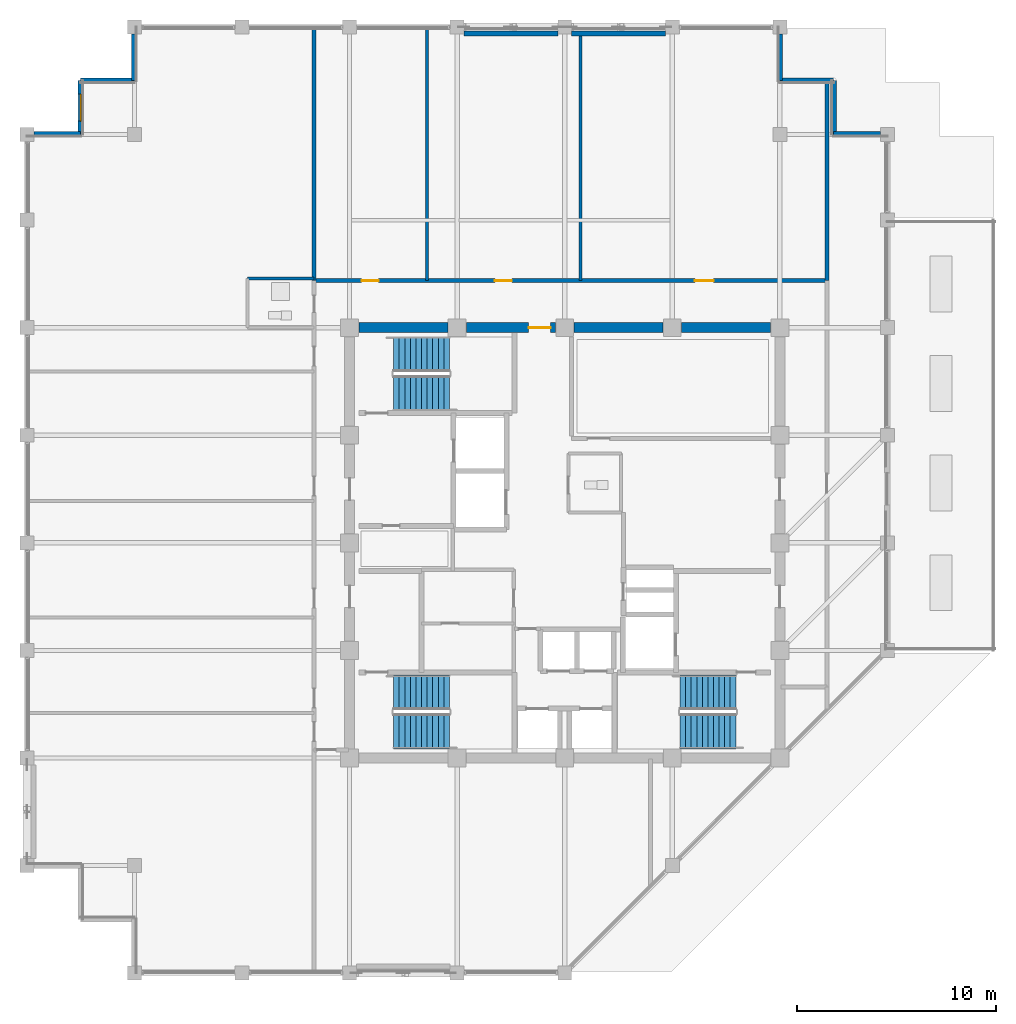
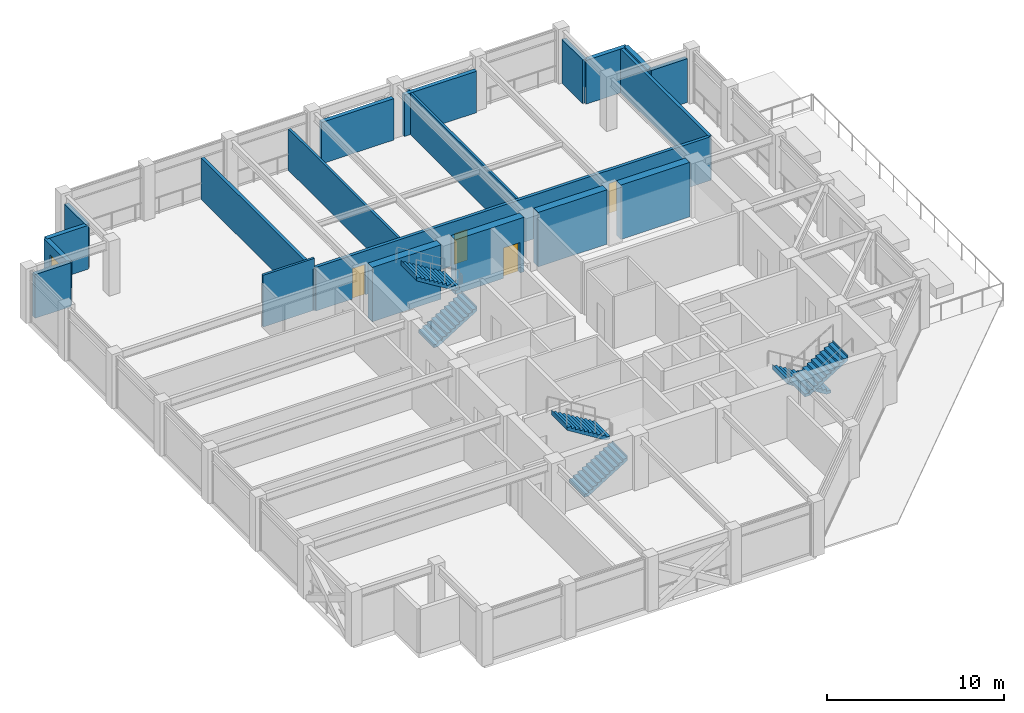
# One storey, part 28 of 34: 20 walls, 6 stair flights, 4 doors, 1 window, 5 openings, 3 elements without a shape of their own.
"""IFC4 building model written with IfcOpenShell, lengths in metres."""

from ifc_helpers import new_model, si_unit, direction, frame, frame_2d, origin, place, context, subcontext, project, spatial, polyline, rectangle, outline, extrude, material, layer, layer_set, type_object, element, fill, aggregate, save


model = new_model("IFC4")

# Units and contexts
model_context = context("Model", 3, precision=1e-05, world=origin(), true_north=direction((0.0, 1.0)))
body_context = subcontext(model_context, "Body", "Model", "MODEL_VIEW")
ifc_project = project(units=[si_unit("LENGTHUNIT", "METRE"), si_unit("AREAUNIT", "SQUARE_METRE"), si_unit("VOLUMEUNIT", "CUBIC_METRE"), si_unit("PLANEANGLEUNIT", "RADIAN"), si_unit("MASSUNIT", "GRAM", prefix="KILO")], contexts=[model_context])

# Site, building, storey
site_placement = place(None, origin())
site = spatial("IfcSite", under=ifc_project, at=site_placement, CompositionType="ELEMENT")
building_placement = place(site_placement, origin())
building = spatial("IfcBuilding", under=site, at=building_placement, Name="Surkhivell Harbour Commons", CompositionType="ELEMENT")
storey_placement = place(building_placement, frame((0.0, 0.0, 258.75)))
storey = spatial("IfcBuildingStorey", under=building, at=storey_placement, Name="L67", CompositionType="ELEMENT", Elevation=258.75)

# Wall
ifc_material_1 = material(Name="Concrete C50/60", Category="concrete")
ifc_layer_1 = layer(ifc_material_1, 0.5)
ifc_layer_set_1 = layer_set([ifc_layer_1], Name="Concrete C50/60")
wall_type_1 = type_object("IfcWallType", Name="WAL-CORE-500", PredefinedType="SHEAR", material=ifc_layer_set_1)
wall_1_placement = place(storey_placement, frame((-10.340087890625, 10.800048828125, 0.0), z_axis=(0.0, 0.0, 1.0), x_axis=(1.0, 0.0, 0.0)))
element("IfcWall", 1, at=wall_1_placement, inside=storey, type_object=wall_type_1, Name="L67 Core Shear Wall North 1", PredefinedType="SHEAR", context=body_context, shape_type="SweptSolid", body=[
    extrude(rectangle(XDim=4.47998046875, YDim=0.5, at=frame_2d((2.239990234375, 0.0))), origin(), (0.0, 0.0, 1.0), 3.75),
])

# Wall, opening, door
wall_2_placement = place(storey_placement, frame((-4.93994140625, 10.800048828125, 0.0), z_axis=(0.0, 0.0, 1.0), x_axis=(1.0, 0.0, 0.0)))
wall_2 = element("IfcWall", 2, at=wall_2_placement, inside=storey, type_object=wall_type_1, Name="L67 Core Shear Wall North 2", PredefinedType="SHEAR", context=body_context, shape_type="SweptSolid", body=[
    extrude(rectangle(XDim=4.47998046875, YDim=0.5, at=frame_2d((2.239990234375, 0.0))), origin(), (0.0, 0.0, 1.0), 3.75),
])
opening_1_placement = place(wall_2_placement, frame((3.1298828125, 0.0, 0.0)))
opening_1 = element("IfcOpeningElement", 3, at=opening_1_placement, cuts=wall_2, Name="Opening ID-2", PredefinedType="OPENING", context=body_context, shape_type="SweptSolid", body=[
    extrude(rectangle(XDim=1.10009765625, YDim=2.10009765625, at=frame_2d((0.550048828125, 1.050048828125))), frame((0.0, 0.260009765625, 0.0), z_axis=(0.0, -1.0, 0.0), x_axis=(1.0, 0.0, 0.0)), (0.0, 0.0, 1.0), 0.52001953125),
])
ifc_material_2 = material(Name="Hardwood-veneered fire-rated door leaf", Category="wood")
door_type_1 = type_object("IfcDoorType", Name="DOR-FD60-1100", OperationType="NOTDEFINED", PredefinedType="DOOR", material=ifc_material_2)
door_1_placement = place(opening_1_placement, origin())
door_1 = element("IfcDoor", 4, at=door_1_placement, inside=storey, type_object=door_type_1, Name="L67 Central Core Lift Hall North Corridor Door", OperationType="SINGLE_SWING_LEFT", OverallHeight=2.10009765625, OverallWidth=1.10009765625, PredefinedType="DOOR", context=body_context, shape_type="SweptSolid", body=[
    extrude(rectangle(XDim=1.10009765625, YDim=2.10009765625, at=frame_2d((0.550048828125, 1.050048828125))), frame((0.0, 0.02490234375, 0.0), z_axis=(0.0, -1.0, 0.0), x_axis=(1.0, 0.0, 0.0)), (0.0, 0.0, 1.0), 0.050048828125),
])
fill(opening_1, door_1)

# Walls
for number, where, z_axis, x_axis, name in (
    (5, (0.4599609375, 10.800048828125, 0.0), (0.0, 0.0, 1.0), (1.0, 0.0, 0.0), "L67 Core Shear Wall North 3"),
    (6, (5.860107421875, 10.800048828125, 0.0), (0.0, 0.0, 1.0), (1.0, 0.0, 0.0), "L67 Core Shear Wall North 4"),
):
    element("IfcWall", number, at=place(storey_placement, frame(where, z_axis=z_axis, x_axis=x_axis)), inside=storey, type_object=wall_type_1, Name=name, PredefinedType="SHEAR", context=body_context, shape_type="SweptSolid", body=[
        extrude(rectangle(XDim=4.47998046875, YDim=0.5, at=frame_2d((2.239990234375, 0.0))), origin(), (0.0, 0.0, 1.0), 3.75),
    ])
ifc_material_3 = material(Name="Pale-metal insulated precast concrete C45/55", Category="concrete")
ifc_layer_2 = layer(ifc_material_3, 0.260009765625)
ifc_layer_set_2 = layer_set([ifc_layer_2], Name="Pale-metal insulated precast concrete C45/55")
wall_type_2 = type_object("IfcWallType", Name="WAL-EXT-MTL260", PredefinedType="STANDARD", material=ifc_layer_set_2)
for number, where, z_axis, x_axis, name in (
    (7, (-0.347900390625, 25.56494140625, 0.0), (0.0, 0.0, 1.0), (-1.0, 0.0, 0.0), "L67 Braced-Bay Insulated Spandrel Backing N"),
    (8, (5.052001953125, 25.56494140625, 0.0), (0.0, 0.0, 1.0), (-1.0, 0.0, 0.0), "L67 Braced-Bay Insulated Spandrel Backing N2"),
):
    element("IfcWall", number, at=place(storey_placement, frame(where, z_axis=z_axis, x_axis=x_axis)), inside=storey, type_object=wall_type_2, Name=name, PredefinedType="STANDARD", context=body_context, shape_type="SweptSolid", body=[
        extrude(rectangle(XDim=4.7041015625, YDim=0.260009765625, at=frame_2d((2.35205078125, 0.0))), origin(), (0.0, 0.0, 1.0), 2.85693359375),
    ])
ifc_material_4 = material(Name="Terracotta-clad reinforced concrete C45/55", Category="masonry")
ifc_layer_3 = layer(ifc_material_4, 0.280029296875)
ifc_layer_set_3 = layer_set([ifc_layer_3], Name="Terracotta-clad reinforced concrete C45/55")
wall_type_3 = type_object("IfcWallType", Name="WAL-EXT-TER280", PredefinedType="STANDARD", material=ifc_layer_set_3)
wall_3_placement = place(storey_placement, frame((15.85205078125, 20.5, 0.0), z_axis=(0.0, 0.0, 1.0), x_axis=(-1.0, 0.0, 0.0)))
element("IfcWall", 9, at=wall_3_placement, inside=storey, type_object=wall_type_3, Name="L67 Serrated Corner Facade Wall 03", PredefinedType="STANDARD", context=body_context, shape_type="SweptSolid", body=[
    extrude(rectangle(XDim=2.35205078125, YDim=0.280029296875, at=frame_2d((1.176025390625, 0.0))), origin(), (0.0, 0.0, 1.0), 3.012939453125),
])
for number, where, z_axis, x_axis, name in (
    (10, (13.5, 20.5, 0.0), (0.0, 0.0, 1.0), (0.0, 1.0, 0.0), "L67 Serrated Corner Facade Wall 04"),
    (11, (13.5, 23.199951171875, 0.0), (0.0, 0.0, 1.0), (-1.0, 0.0, 0.0), "L67 Serrated Corner Facade Wall 05"),
):
    element("IfcWall", number, at=place(storey_placement, frame(where, z_axis=z_axis, x_axis=x_axis)), inside=storey, type_object=wall_type_3, Name=name, PredefinedType="STANDARD", context=body_context, shape_type="SweptSolid", body=[
        extrude(rectangle(XDim=2.699951171875, YDim=0.280029296875, at=frame_2d((1.35009765625, 0.0))), origin(), (0.0, 0.0, 1.0), 3.012939453125),
    ])
for number, where, z_axis, x_axis, name in (
    (12, (10.800048828125, 23.199951171875, 0.0), (0.0, 0.0, 1.0), (0.0, 1.0, 0.0), "L67 Serrated Corner Facade Wall 06"),
    (13, (-21.60009765625, 25.552001953125, 0.0), (0.0, 0.0, 1.0), (0.0, -1.0, 0.0), "L67 Serrated Corner Facade Wall 08"),
):
    element("IfcWall", number, at=place(storey_placement, frame(where, z_axis=z_axis, x_axis=x_axis)), inside=storey, type_object=wall_type_3, Name=name, PredefinedType="STANDARD", context=body_context, shape_type="SweptSolid", body=[
        extrude(rectangle(XDim=2.35205078125, YDim=0.280029296875, at=frame_2d((1.176025390625, 0.0))), origin(), (0.0, 0.0, 1.0), 3.012939453125),
    ])
wall_4_placement = place(storey_placement, frame((-21.60009765625, 23.199951171875, 0.0), z_axis=(0.0, 0.0, 1.0), x_axis=(-1.0, 0.0, 0.0)))
element("IfcWall", 14, at=wall_4_placement, inside=storey, type_object=wall_type_3, Name="L67 Serrated Corner Facade Wall 09", PredefinedType="STANDARD", context=body_context, shape_type="SweptSolid", body=[
    extrude(rectangle(XDim=2.699951171875, YDim=0.280029296875, at=frame_2d((1.35009765625, 0.0))), origin(), (0.0, 0.0, 1.0), 3.012939453125),
])

# Wall, opening, window
wall_5_placement = place(storey_placement, frame((-24.300048828125, 23.199951171875, 0.0), z_axis=(0.0, 0.0, 1.0), x_axis=(0.0, -1.0, 0.0)))
wall_5 = element("IfcWall", 15, at=wall_5_placement, inside=storey, type_object=wall_type_3, Name="L67 Serrated Corner Facade Wall 10", PredefinedType="STANDARD", context=body_context, shape_type="SweptSolid", body=[
    extrude(rectangle(XDim=2.699951171875, YDim=0.280029296875, at=frame_2d((1.35009765625, 0.0))), origin(), (0.0, 0.0, 1.0), 3.012939453125),
])
opening_2_placement = place(wall_5_placement, frame((0.675048828125, 0.0, 0.64990234375)))
opening_2 = element("IfcOpeningElement", 16, at=opening_2_placement, cuts=wall_5, Name="Opening WN-08", PredefinedType="OPENING", context=body_context, shape_type="SweptSolid", body=[
    extrude(rectangle(XDim=1.35009765625, YDim=1.64990234375, at=frame_2d((0.675048828125, 0.824951171875))), frame((0.0, 0.14990234375, 0.0), z_axis=(0.0, -1.0, 0.0), x_axis=(1.0, 0.0, 0.0)), (0.0, 0.0, 1.0), 0.300048828125),
])
ifc_material_5 = material(Name="Thermal-break aluminium frame and double low-E glazing", Category="aluminium")
window_type = type_object("IfcWindowType", Name="WIN-SER-1350x1650", PartitioningType="SINGLE_PANEL", PredefinedType="WINDOW", material=ifc_material_5)
window_placement = place(opening_2_placement, origin())
window = element("IfcWindow", 17, at=window_placement, inside=storey, type_object=window_type, Name="L67 Serrated Alcove Window 10", OverallHeight=1.64990234375, OverallWidth=1.35009765625, PartitioningType="SINGLE_PANEL", PredefinedType="WINDOW", context=body_context, shape_type="SweptSolid", body=[
    extrude(rectangle(XDim=1.35009765625, YDim=1.64990234375, at=frame_2d((0.675048828125, 0.824951171875))), frame((0.0, 0.030029296875, 0.0), z_axis=(0.0, -1.0, 0.0), x_axis=(1.0, 0.0, 0.0)), (0.0, 0.0, 1.0), 0.06005859375),
])
fill(opening_2, window)

# Walls
wall_6_placement = place(storey_placement, frame((-24.300048828125, 20.5, 0.0), z_axis=(0.0, 0.0, 1.0), x_axis=(-1.0, 0.0, 0.0)))
element("IfcWall", 18, at=wall_6_placement, inside=storey, type_object=wall_type_3, Name="L67 Serrated Corner Facade Wall 11", PredefinedType="STANDARD", context=body_context, shape_type="SweptSolid", body=[
    extrude(rectangle(XDim=2.35205078125, YDim=0.280029296875, at=frame_2d((1.176025390625, 0.0))), origin(), (0.0, 0.0, 1.0), 3.012939453125),
])
ifc_material_6 = material(Name="Twin-stud acoustic fireboard partition", Category="other")
ifc_layer_4 = layer(ifc_material_6, 0.14990234375)
ifc_layer_set_4 = layer_set([ifc_layer_4], Name="Twin-stud acoustic fireboard partition")
wall_type_4 = type_object("IfcWallType", Name="WAL-INT-150", PredefinedType="PARTITIONING", material=ifc_layer_set_4)
for number, where, z_axis, x_axis, name in (
    (19, (-6.919921875, 13.159912109375, 0.0), (0.0, 0.0, 1.0), (0.0, 1.0, 0.0), "L67 North Partition P1"),
    (20, (0.800048828125, 13.159912109375, 0.0), (0.0, 0.0, 1.0), (0.0, 1.0, 0.0), "L67 North Partition P2"),
):
    element("IfcWall", number, at=place(storey_placement, frame(where, z_axis=z_axis, x_axis=x_axis)), inside=storey, type_object=wall_type_4, Name=name, PredefinedType="PARTITIONING", context=body_context, shape_type="SweptSolid", body=[
        extrude(rectangle(XDim=12.68017578125, YDim=0.14990234375, at=frame_2d((6.340087890625, 0.0))), origin(), (0.0, 0.0, 1.0), 2.85693359375),
    ])
wall_7_placement = place(storey_placement, frame((-15.929931640625, 13.260009765625, 0.0), z_axis=(0.0, 0.0, 1.0), x_axis=(1.0, 0.0, 0.0)))
element("IfcWall", 21, at=wall_7_placement, inside=storey, type_object=wall_type_4, Name="L67 West Partition BTHN", PredefinedType="PARTITIONING", context=body_context, shape_type="SweptSolid", body=[
    extrude(rectangle(XDim=3.349853515625, YDim=0.14990234375, at=frame_2d((1.6748046875, 0.0))), origin(), (0.0, 0.0, 1.0), 3.570068359375),
])
ifc_material_7 = material(Name="Autoclaved aerated concrete blockwork and fire plaster", Category="masonry")
ifc_layer_5 = layer(ifc_material_7, 0.199951171875)
ifc_layer_set_5 = layer_set([ifc_layer_5], Name="Autoclaved aerated concrete blockwork and fire plaster")
wall_type_5 = type_object("IfcWallType", Name="WAL-INT-200", PredefinedType="PARTITIONING", material=ifc_layer_set_5)
wall_8_placement = place(storey_placement, frame((13.159912109375, 13.159912109375, 0.0), z_axis=(0.0, 0.0, 1.0), x_axis=(0.0, 1.0, 0.0)))
element("IfcWall", 22, at=wall_8_placement, inside=storey, type_object=wall_type_5, Name="L67 North-East Corner Wall", PredefinedType="PARTITIONING", context=body_context, shape_type="SweptSolid", body=[
    extrude(rectangle(XDim=9.97998046875, YDim=0.199951171875, at=frame_2d((4.989990234375, 0.0))), origin(), (0.0, 0.0, 1.0), 3.012939453125),
])
wall_9_placement = place(storey_placement, frame((-12.580078125, 13.159912109375, 0.0), z_axis=(0.0, 0.0, 1.0), x_axis=(0.0, 1.0, 0.0)))
element("IfcWall", 23, at=wall_9_placement, inside=storey, type_object=wall_type_5, Name="L67 North-West Corner Wall", PredefinedType="PARTITIONING", context=body_context, shape_type="SweptSolid", body=[
    extrude(rectangle(XDim=12.68017578125, YDim=0.199951171875, at=frame_2d((6.340087890625, 0.0))), origin(), (0.0, 0.0, 1.0), 2.85693359375),
])

# Wall, openings, doors
wall_10_placement = place(storey_placement, frame((-12.580078125, 13.159912109375, 0.0), z_axis=(0.0, 0.0, 1.0), x_axis=(1.0, 0.0, 0.0)))
wall_10 = element("IfcWall", 24, at=wall_10_placement, inside=storey, type_object=wall_type_5, Name="L67 North Corridor Wall", PredefinedType="PARTITIONING", context=body_context, shape_type="SweptSolid", body=[
    extrude(rectangle(XDim=25.739990234375, YDim=0.199951171875, at=frame_2d((12.8701171875, 0.0))), origin(), (0.0, 0.0, 1.0), 3.012939453125),
])
opening_3_placement = place(wall_10_placement, frame((2.3798828125, 0.0, 0.0)))
opening_3 = element("IfcOpeningElement", 25, at=opening_3_placement, cuts=wall_10, Name="Opening ID-6", PredefinedType="OPENING", context=body_context, shape_type="SweptSolid", body=[
    extrude(rectangle(XDim=0.85009765625, YDim=2.10009765625, at=frame_2d((0.425048828125, 1.050048828125))), frame((0.0, 0.10986328125, 0.0), z_axis=(0.0, -1.0, 0.0), x_axis=(1.0, 0.0, 0.0)), (0.0, 0.0, 1.0), 0.219970703125),
])
opening_4_placement = place(wall_10_placement, frame((9.070068359375, 0.0, 0.0)))
opening_4 = element("IfcOpeningElement", 26, at=opening_4_placement, cuts=wall_10, Name="Opening ID-6", PredefinedType="OPENING", context=body_context, shape_type="SweptSolid", body=[
    extrude(rectangle(XDim=0.85009765625, YDim=2.10009765625, at=frame_2d((0.425048828125, 1.050048828125))), frame((0.0, 0.10986328125, 0.0), z_axis=(0.0, -1.0, 0.0), x_axis=(1.0, 0.0, 0.0)), (0.0, 0.0, 1.0), 0.219970703125),
])
opening_5_placement = place(wall_10_placement, frame((19.110107421875, 0.0, 0.0)))
opening_5 = element("IfcOpeningElement", 27, at=opening_5_placement, cuts=wall_10, Name="Opening ID-4", PredefinedType="OPENING", context=body_context, shape_type="SweptSolid", body=[
    extrude(rectangle(XDim=0.949951171875, YDim=2.10009765625, at=frame_2d((0.47509765625, 1.050048828125))), frame((0.0, 0.10986328125, 0.0), z_axis=(0.0, -1.0, 0.0), x_axis=(1.0, 0.0, 0.0)), (0.0, 0.0, 1.0), 0.219970703125),
])
door_type_2 = type_object("IfcDoorType", Name="DOR-FD30-850", OperationType="NOTDEFINED", PredefinedType="DOOR", material=ifc_material_2)
door_2_placement = place(opening_3_placement, origin())
door_2 = element("IfcDoor", 28, at=door_2_placement, inside=storey, type_object=door_type_2, Name="L67 Co-Working Study Office 1 North Door", OperationType="SINGLE_SWING_RIGHT", OverallHeight=2.10009765625, OverallWidth=0.85009765625, PredefinedType="DOOR", context=body_context, shape_type="SweptSolid", body=[
    extrude(rectangle(XDim=0.85009765625, YDim=2.10009765625, at=frame_2d((0.425048828125, 1.050048828125))), frame((0.0, 0.02490234375, 0.0), z_axis=(0.0, -1.0, 0.0), x_axis=(1.0, 0.0, 0.0)), (0.0, 0.0, 1.0), 0.050048828125),
])
fill(opening_3, door_2)
door_3_placement = place(opening_4_placement, origin())
door_3 = element("IfcDoor", 29, at=door_3_placement, inside=storey, type_object=door_type_2, Name="L67 Co-Working Study Office 2 North Door", OperationType="SINGLE_SWING_LEFT", OverallHeight=2.10009765625, OverallWidth=0.85009765625, PredefinedType="DOOR", context=body_context, shape_type="SweptSolid", body=[
    extrude(rectangle(XDim=0.85009765625, YDim=2.10009765625, at=frame_2d((0.425048828125, 1.050048828125))), frame((0.0, 0.02490234375, 0.0), z_axis=(0.0, -1.0, 0.0), x_axis=(1.0, 0.0, 0.0)), (0.0, 0.0, 1.0), 0.050048828125),
])
fill(opening_4, door_3)
door_type_3 = type_object("IfcDoorType", Name="DOR-FD60-950", OperationType="NOTDEFINED", PredefinedType="DOOR", material=ifc_material_2)
door_4_placement = place(opening_5_placement, origin())
door_4 = element("IfcDoor", 30, at=door_4_placement, inside=storey, type_object=door_type_3, Name="L67 Co-Working Study Office 3 North Door", OperationType="SINGLE_SWING_RIGHT", OverallHeight=2.10009765625, OverallWidth=0.949951171875, PredefinedType="DOOR", context=body_context, shape_type="SweptSolid", body=[
    extrude(rectangle(XDim=0.949951171875, YDim=2.10009765625, at=frame_2d((0.47509765625, 1.050048828125))), frame((0.0, 0.02490234375, 0.0), z_axis=(0.0, -1.0, 0.0), x_axis=(1.0, 0.0, 0.0)), (0.0, 0.0, 1.0), 0.050048828125),
])
fill(opening_5, door_4)

# Stair, stair flights
ifc_material_8 = material(Name="Precast concrete C45/55", Category="concrete")
stair_type = type_object("IfcStairType", Name="STR-DL-375", PredefinedType="HALF_TURN_STAIR", material=ifc_material_8)
stair_1_placement = place(storey_placement, origin())
stair_1 = element("IfcStair", 31, at=stair_1_placement, inside=storey, type_object=stair_type, Name="L67 Core Exit Stair ST1", PredefinedType="HALF_TURN_STAIR")
stair_flight_type = type_object("IfcStairFlightType", Name="STF-DL-375", PredefinedType="STRAIGHT", material=ifc_material_8)
stair_flight_1_placement = place(storey_placement, frame((-8.590087890625, 7.514892578125, 0.0), z_axis=(0.0, 0.0, 1.0), x_axis=(1.0, 0.0, 0.0)))
stair_flight_1 = element("IfcStairFlight", 32, at=stair_flight_1_placement, type_object=stair_flight_type, Name="ST1 flight 1", NumberOfRisers=11, NumberOfTreads=10, PredefinedType="STRAIGHT", RiserHeight=0.170454545, TreadLength=0.28, context=body_context, shape_type="SweptSolid", body=[
    extrude(outline(polyline([(-0.0029296875, -0.034912109375), (-0.0029296875, 0.0), (0.0, 0.0), (0.0, 0.17041015625), (0.280029296875, 0.17041015625), (0.280029296875, 0.3408203125), (0.56005859375, 0.3408203125), (0.56005859375, 0.511474609375), (0.840087890625, 0.511474609375), (0.840087890625, 0.681884765625), (1.1201171875, 0.681884765625), (1.1201171875, 0.852294921875), (1.39990234375, 0.852294921875), (1.39990234375, 1.022705078125), (1.679931640625, 1.022705078125), (1.679931640625, 1.193115234375), (1.9599609375, 1.193115234375), (1.9599609375, 1.363525390625), (2.239990234375, 1.363525390625), (2.239990234375, 1.5341796875), (2.52001953125, 1.5341796875), (2.52001953125, 1.70458984375), (2.800048828125, 1.70458984375), (2.800048828125, 1.875), (2.802978515625, 1.875), (2.802978515625, 1.529052734375), (0.288330078125, -0.034912109375), (-0.0029296875, -0.034912109375)])), frame((0.0, 0.875, 0.0), z_axis=(0.0, -1.0, 0.0), x_axis=(1.0, 0.0, 0.0)), (0.0, 0.0, 1.0), 1.75),
])
stair_flight_2_placement = place(storey_placement, frame((-5.7900390625, 9.465087890625, 1.875), z_axis=(0.0, 0.0, 1.0), x_axis=(-1.0, 0.0, 0.0)))
stair_flight_2 = element("IfcStairFlight", 33, at=stair_flight_2_placement, type_object=stair_flight_type, Name="ST1 flight 2", NumberOfRisers=11, NumberOfTreads=10, PredefinedType="STRAIGHT", RiserHeight=0.170454545, TreadLength=0.28, context=body_context, shape_type="SweptSolid", body=[
    extrude(outline(polyline([(-0.0029296875, -0.034912109375), (-0.0029296875, 0.0), (0.0, 0.0), (0.0, 0.17041015625), (0.280029296875, 0.17041015625), (0.280029296875, 0.3408203125), (0.56005859375, 0.3408203125), (0.56005859375, 0.511474609375), (0.840087890625, 0.511474609375), (0.840087890625, 0.681884765625), (1.1201171875, 0.681884765625), (1.1201171875, 0.852294921875), (1.39990234375, 0.852294921875), (1.39990234375, 1.022705078125), (1.679931640625, 1.022705078125), (1.679931640625, 1.193115234375), (1.9599609375, 1.193115234375), (1.9599609375, 1.363525390625), (2.239990234375, 1.363525390625), (2.239990234375, 1.5341796875), (2.52001953125, 1.5341796875), (2.52001953125, 1.70458984375), (2.800048828125, 1.70458984375), (2.800048828125, 1.875), (2.802978515625, 1.875), (2.802978515625, 1.529052734375), (0.288330078125, -0.034912109375), (-0.0029296875, -0.034912109375)])), frame((0.0, 0.875, 0.0), z_axis=(0.0, -1.0, 0.0), x_axis=(1.0, 0.0, 0.0)), (0.0, 0.0, 1.0), 1.75),
])
aggregate(stair_1, [stair_flight_1, stair_flight_2])

stair_2_placement = place(storey_placement, origin())
stair_2 = element("IfcStair", 34, at=stair_2_placement, inside=storey, type_object=stair_type, Name="L67 Core Exit Stair ST2", PredefinedType="HALF_TURN_STAIR")
stair_flight_3_placement = place(storey_placement, frame((8.590087890625, -7.514892578125, 0.0), z_axis=(0.0, 0.0, 1.0), x_axis=(-1.0, 0.0, 0.0)))
stair_flight_3 = element("IfcStairFlight", 35, at=stair_flight_3_placement, type_object=stair_flight_type, Name="ST2 flight 1", NumberOfRisers=11, NumberOfTreads=10, PredefinedType="STRAIGHT", RiserHeight=0.170454545, TreadLength=0.28, context=body_context, shape_type="SweptSolid", body=[
    extrude(outline(polyline([(-0.0029296875, -0.034912109375), (-0.0029296875, 0.0), (0.0, 0.0), (0.0, 0.17041015625), (0.280029296875, 0.17041015625), (0.280029296875, 0.3408203125), (0.56005859375, 0.3408203125), (0.56005859375, 0.511474609375), (0.840087890625, 0.511474609375), (0.840087890625, 0.681884765625), (1.1201171875, 0.681884765625), (1.1201171875, 0.852294921875), (1.39990234375, 0.852294921875), (1.39990234375, 1.022705078125), (1.679931640625, 1.022705078125), (1.679931640625, 1.193115234375), (1.9599609375, 1.193115234375), (1.9599609375, 1.363525390625), (2.239990234375, 1.363525390625), (2.239990234375, 1.5341796875), (2.52001953125, 1.5341796875), (2.52001953125, 1.70458984375), (2.800048828125, 1.70458984375), (2.800048828125, 1.875), (2.802978515625, 1.875), (2.802978515625, 1.529052734375), (0.288330078125, -0.034912109375), (-0.0029296875, -0.034912109375)])), frame((0.0, 0.875, 0.0), z_axis=(0.0, -1.0, 0.0), x_axis=(1.0, 0.0, 0.0)), (0.0, 0.0, 1.0), 1.75),
])
stair_flight_4_placement = place(storey_placement, frame((5.7900390625, -9.465087890625, 1.875), z_axis=(0.0, 0.0, 1.0), x_axis=(1.0, 0.0, 0.0)))
stair_flight_4 = element("IfcStairFlight", 36, at=stair_flight_4_placement, type_object=stair_flight_type, Name="ST2 flight 2", NumberOfRisers=11, NumberOfTreads=10, PredefinedType="STRAIGHT", RiserHeight=0.170454545, TreadLength=0.28, context=body_context, shape_type="SweptSolid", body=[
    extrude(outline(polyline([(-0.0029296875, -0.034912109375), (-0.0029296875, 0.0), (0.0, 0.0), (0.0, 0.17041015625), (0.280029296875, 0.17041015625), (0.280029296875, 0.3408203125), (0.56005859375, 0.3408203125), (0.56005859375, 0.511474609375), (0.840087890625, 0.511474609375), (0.840087890625, 0.681884765625), (1.1201171875, 0.681884765625), (1.1201171875, 0.852294921875), (1.39990234375, 0.852294921875), (1.39990234375, 1.022705078125), (1.679931640625, 1.022705078125), (1.679931640625, 1.193115234375), (1.9599609375, 1.193115234375), (1.9599609375, 1.363525390625), (2.239990234375, 1.363525390625), (2.239990234375, 1.5341796875), (2.52001953125, 1.5341796875), (2.52001953125, 1.70458984375), (2.800048828125, 1.70458984375), (2.800048828125, 1.875), (2.802978515625, 1.875), (2.802978515625, 1.529052734375), (0.288330078125, -0.034912109375), (-0.0029296875, -0.034912109375)])), frame((0.0, 0.875, 0.0), z_axis=(0.0, -1.0, 0.0), x_axis=(1.0, 0.0, 0.0)), (0.0, 0.0, 1.0), 1.75),
])
aggregate(stair_2, [stair_flight_3, stair_flight_4])

stair_3_placement = place(storey_placement, origin())
stair_3 = element("IfcStair", 37, at=stair_3_placement, inside=storey, type_object=stair_type, Name="L67 Core Exit Stair ST3", PredefinedType="HALF_TURN_STAIR")
stair_flight_5_placement = place(storey_placement, frame((-8.590087890625, -9.465087890625, 0.0), z_axis=(0.0, 0.0, 1.0), x_axis=(1.0, 0.0, 0.0)))
stair_flight_5 = element("IfcStairFlight", 38, at=stair_flight_5_placement, type_object=stair_flight_type, Name="ST3 flight 1", NumberOfRisers=11, NumberOfTreads=10, PredefinedType="STRAIGHT", RiserHeight=0.170454545, TreadLength=0.28, context=body_context, shape_type="SweptSolid", body=[
    extrude(outline(polyline([(-0.0029296875, -0.034912109375), (-0.0029296875, 0.0), (0.0, 0.0), (0.0, 0.17041015625), (0.280029296875, 0.17041015625), (0.280029296875, 0.3408203125), (0.56005859375, 0.3408203125), (0.56005859375, 0.511474609375), (0.840087890625, 0.511474609375), (0.840087890625, 0.681884765625), (1.1201171875, 0.681884765625), (1.1201171875, 0.852294921875), (1.39990234375, 0.852294921875), (1.39990234375, 1.022705078125), (1.679931640625, 1.022705078125), (1.679931640625, 1.193115234375), (1.9599609375, 1.193115234375), (1.9599609375, 1.363525390625), (2.239990234375, 1.363525390625), (2.239990234375, 1.5341796875), (2.52001953125, 1.5341796875), (2.52001953125, 1.70458984375), (2.800048828125, 1.70458984375), (2.800048828125, 1.875), (2.802978515625, 1.875), (2.802978515625, 1.529052734375), (0.288330078125, -0.034912109375), (-0.0029296875, -0.034912109375)])), frame((0.0, 0.875, 0.0), z_axis=(0.0, -1.0, 0.0), x_axis=(1.0, 0.0, 0.0)), (0.0, 0.0, 1.0), 1.75),
])
stair_flight_6_placement = place(storey_placement, frame((-5.7900390625, -7.514892578125, 1.875), z_axis=(0.0, 0.0, 1.0), x_axis=(-1.0, 0.0, 0.0)))
stair_flight_6 = element("IfcStairFlight", 39, at=stair_flight_6_placement, type_object=stair_flight_type, Name="ST3 flight 2", NumberOfRisers=11, NumberOfTreads=10, PredefinedType="STRAIGHT", RiserHeight=0.170454545, TreadLength=0.28, context=body_context, shape_type="SweptSolid", body=[
    extrude(outline(polyline([(-0.0029296875, -0.034912109375), (-0.0029296875, 0.0), (0.0, 0.0), (0.0, 0.17041015625), (0.280029296875, 0.17041015625), (0.280029296875, 0.3408203125), (0.56005859375, 0.3408203125), (0.56005859375, 0.511474609375), (0.840087890625, 0.511474609375), (0.840087890625, 0.681884765625), (1.1201171875, 0.681884765625), (1.1201171875, 0.852294921875), (1.39990234375, 0.852294921875), (1.39990234375, 1.022705078125), (1.679931640625, 1.022705078125), (1.679931640625, 1.193115234375), (1.9599609375, 1.193115234375), (1.9599609375, 1.363525390625), (2.239990234375, 1.363525390625), (2.239990234375, 1.5341796875), (2.52001953125, 1.5341796875), (2.52001953125, 1.70458984375), (2.800048828125, 1.70458984375), (2.800048828125, 1.875), (2.802978515625, 1.875), (2.802978515625, 1.529052734375), (0.288330078125, -0.034912109375), (-0.0029296875, -0.034912109375)])), frame((0.0, 0.875, 0.0), z_axis=(0.0, -1.0, 0.0), x_axis=(1.0, 0.0, 0.0)), (0.0, 0.0, 1.0), 1.75),
])
aggregate(stair_3, [stair_flight_5, stair_flight_6])

save(model, "model.ifc")
